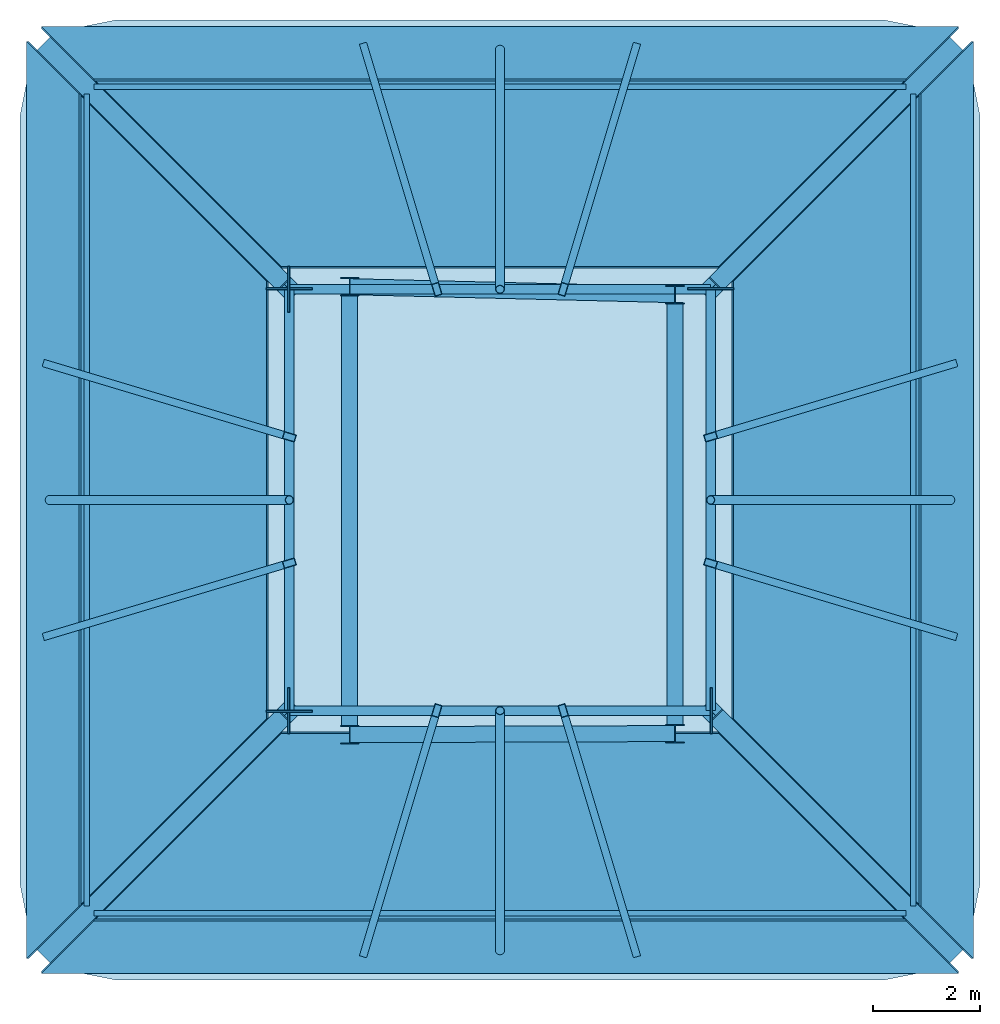
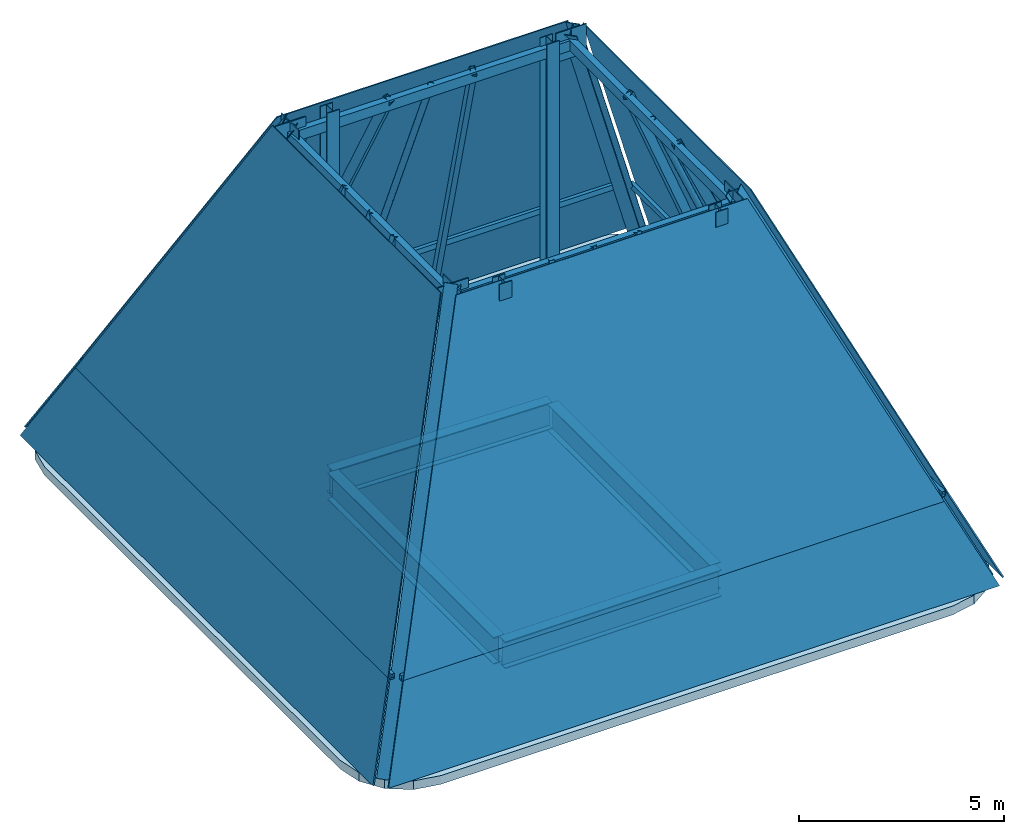
# One storey: 20 members, 14 plates, 8 beams, 4 columns, 1 slab, 4 elements without a shape of their own.
"""IFC4 building model written with IfcOpenShell, lengths in metres."""

from ifc_helpers import new_model, si_unit, direction, frame, origin, origin_2d, place, context, subcontext, project, spatial, polyline, rectangle, hollow_rectangle, hollow_circle, i_section, outline, extrude, material, layer, layer_set, material_profile, profile_set, type_object, element, aggregate, save


model = new_model("IFC4")

# Units and contexts
model_context = context("Model", 3, precision=1e-05, world=origin(), true_north=direction((0.0, 1.0)))
body_context = subcontext(model_context, "Body", "Model", "MODEL_VIEW")
ifc_project = project(units=[si_unit("LENGTHUNIT", "METRE"), si_unit("AREAUNIT", "SQUARE_METRE"), si_unit("VOLUMEUNIT", "CUBIC_METRE"), si_unit("PLANEANGLEUNIT", "RADIAN"), si_unit("MASSUNIT", "GRAM", prefix="KILO")], contexts=[model_context])

# Site, building, storey
site_placement = place(None, origin())
site = spatial("IfcSite", under=ifc_project, at=site_placement, CompositionType="ELEMENT")
building_placement = place(site_placement, origin())
building = spatial("IfcBuilding", under=site, at=building_placement, Name="Khorvyn Point Tower", CompositionType="ELEMENT")
storey_placement = place(building_placement, frame((0.0, 0.0, 334.10009765625)))
storey = spatial("IfcBuildingStorey", under=building, at=storey_placement, Name="L79", CompositionType="ELEMENT", Elevation=334.10009765625)

# Columns
ifc_material_1 = material(Name="Steel S355", Category="steel")
ifc_material_profile_1 = material_profile(ifc_material_1, i_section(OverallWidth=0.35009765625, OverallDepth=0.35009765625, WebThickness=0.011962890625, FlangeThickness=0.01904296875, at=origin_2d()))
ifc_profile_set_1 = profile_set([ifc_material_profile_1], Name="Steel S355 H350x350x12x19")
column_type = type_object("IfcColumnType", Name="Steel S355 Structural Column H350x350x12x19", PredefinedType="COLUMN", material=ifc_profile_set_1)
for number, where, z_axis, x_axis, name in (
    (1, (-4.52001953125, -4.199951171875, 0.0), (0.0, 0.0, 1.0), (1.0, 0.0, 0.0), "L79 Crown Core Spine Column 1"),
    (2, (1.580078125, -4.179931640625, 0.0), (0.0, 0.0, 1.0), (1.0, 0.0, 0.0), "L79 Crown Core Spine Column 2"),
    (3, (1.580078125, 4.050048828125, 0.0), (0.0, 0.0, 1.0), (1.0, 0.0, 0.0), "L79 Crown Core Spine Column 3"),
    (4, (-4.52001953125, 4.199951171875, 0.0), (0.0, 0.0, 1.0), (1.0, 0.0, 0.0), "L79 Crown Core Spine Column 4"),
):
    element("IfcColumn", number, at=place(storey_placement, frame(where, z_axis=z_axis, x_axis=x_axis)), inside=storey, type_object=column_type, Name=name, PredefinedType="COLUMN", context=body_context, shape_type="SweptSolid", body=[
        extrude(i_section(OverallWidth=0.35009765625, OverallDepth=0.35009765625, WebThickness=0.011962890625, FlangeThickness=0.01904296875, at=origin_2d()), origin(), (0.0, 0.0, 1.0), 10.449951171875),
    ])

# Curtain wall, member
ifc_material_2 = material(Name="Anodised aluminium 6063-T6 and laminated Low-E glass", Category="aluminium")
ifc_layer_1 = layer(ifc_material_2, 0.18994140625)
ifc_layer_set_1 = layer_set([ifc_layer_1], Name="Stick-Built Crystal Atrium Curtain Wall CW-SYS-06")
curtain_wall_type = type_object("IfcCurtainWallType", Name="Stick-Built Crystal Atrium Curtain Wall CW-SYS-06", PredefinedType="NOTDEFINED", material=ifc_layer_set_1)
curtain_wall_1_placement = place(storey_placement, origin())
curtain_wall_1 = element("IfcCurtainWall", 5, at=curtain_wall_1_placement, inside=storey, type_object=curtain_wall_type, Name="L79 Glass-Point Crown Pyramid South Curtain Wall", PredefinedType="NOTDEFINED")
ifc_material_3 = material(Name="Anodised aluminium 6063-T6", Category="aluminium")
ifc_material_profile_2 = material_profile(ifc_material_3, hollow_rectangle(XDim=0.10009765625, YDim=0.159912109375, WallThickness=0.00439453125, at=origin_2d()))
ifc_profile_set_2 = profile_set([ifc_material_profile_2], Name="Anodised aluminium 6063-T6 ALU-TRN-100x160")
member_type_1 = type_object("IfcMemberType", Name="Anodised Aluminium 6063-T6 Transom ALU-TRN-100x160", PredefinedType="USERDEFINED", material=ifc_profile_set_2)
member_1_placement = place(storey_placement, frame((-9.31005859375, -7.550048828125, 2.298828125), z_axis=(1.0, 0.0, 0.0), x_axis=(0.0, 1.0, 0.0)))
member_1 = element("IfcMember", 6, at=member_1_placement, type_object=member_type_1, Name="L79 Crown Transom SOUTH", ObjectType="TRANSOM", PredefinedType="USERDEFINED", context=body_context, shape_type="SweptSolid", body=[
    extrude(hollow_rectangle(XDim=0.10009765625, YDim=0.159912109375, WallThickness=0.00439453125, at=origin_2d()), origin(), (0.0, 0.0, 1.0), 15.219970703125),
])

curtain_wall_2_placement = place(storey_placement, origin())
curtain_wall_2 = element("IfcCurtainWall", 7, at=curtain_wall_2_placement, inside=storey, type_object=curtain_wall_type, Name="L79 Glass-Point Crown Pyramid East Curtain Wall", PredefinedType="NOTDEFINED")
member_2_placement = place(storey_placement, frame((6.050048828125, -7.409912109375, 2.298828125), z_axis=(0.0, 1.0, 0.0), x_axis=(-1.0, 0.0, 0.0)))
member_2 = element("IfcMember", 8, at=member_2_placement, type_object=member_type_1, Name="L79 Crown Transom EAST", ObjectType="TRANSOM", PredefinedType="USERDEFINED", context=body_context, shape_type="SweptSolid", body=[
    extrude(hollow_rectangle(XDim=0.10009765625, YDim=0.159912109375, WallThickness=0.00439453125, at=origin_2d()), origin(), (0.0, 0.0, 1.0), 15.219970703125),
])

curtain_wall_3_placement = place(storey_placement, origin())
curtain_wall_3 = element("IfcCurtainWall", 9, at=curtain_wall_3_placement, inside=storey, type_object=curtain_wall_type, Name="L79 Glass-Point Crown Pyramid North Curtain Wall", PredefinedType="NOTDEFINED")
member_3_placement = place(storey_placement, frame((5.909912109375, 7.949951171875, 2.298828125), z_axis=(-1.0, 0.0, 0.0), x_axis=(0.0, -1.0, 0.0)))
member_3 = element("IfcMember", 10, at=member_3_placement, type_object=member_type_1, Name="L79 Crown Transom NORTH", ObjectType="TRANSOM", PredefinedType="USERDEFINED", context=body_context, shape_type="SweptSolid", body=[
    extrude(hollow_rectangle(XDim=0.10009765625, YDim=0.159912109375, WallThickness=0.00439453125, at=origin_2d()), origin(), (0.0, 0.0, 1.0), 15.219970703125),
])

curtain_wall_4_placement = place(storey_placement, origin())
curtain_wall_4 = element("IfcCurtainWall", 11, at=curtain_wall_4_placement, inside=storey, type_object=curtain_wall_type, Name="L79 Glass-Point Crown Pyramid West Curtain Wall", PredefinedType="NOTDEFINED")
member_4_placement = place(storey_placement, frame((-9.449951171875, 7.81005859375, 2.298828125), z_axis=(0.0, -1.0, 0.0), x_axis=(1.0, 0.0, 0.0)))
member_4 = element("IfcMember", 12, at=member_4_placement, type_object=member_type_1, Name="L79 Crown Transom WEST", ObjectType="TRANSOM", PredefinedType="USERDEFINED", context=body_context, shape_type="SweptSolid", body=[
    extrude(hollow_rectangle(XDim=0.10009765625, YDim=0.159912109375, WallThickness=0.00439453125, at=origin_2d()), origin(), (0.0, 0.0, 1.0), 15.219970703125),
])

# Beams
ifc_material_profile_3 = material_profile(ifc_material_1, hollow_rectangle(XDim=0.179931640625, YDim=0.300048828125, WallThickness=0.011962890625, at=origin_2d()))
ifc_profile_set_3 = profile_set([ifc_material_profile_3], Name="Steel S355 RHS300x180x12")
beam_type_1 = type_object("IfcBeamType", Name="Steel S355 Beam RHS300x180x12", PredefinedType="BEAM", material=ifc_profile_set_3)
for number, where, z_axis, x_axis, name in (
    (13, (-5.64990234375, -3.75, 10.039794921875), (1.0, 0.0, 0.0), (0.0, 1.0, 0.0), "L79 Crown Top Ring Beam 1"),
    (14, (2.25, -3.75, 10.039794921875), (0.0, 1.0, 0.0), (-1.0, 0.0, 0.0), "L79 Crown Top Ring Beam 2"),
    (15, (2.25, 4.14990234375, 10.039794921875), (-1.0, 0.0, 0.0), (0.0, -1.0, 0.0), "L79 Crown Top Ring Beam 3"),
    (16, (-5.64990234375, 4.14990234375, 10.039794921875), (0.0, -1.0, 0.0), (1.0, 0.0, 0.0), "L79 Crown Top Ring Beam 4"),
):
    element("IfcBeam", number, at=place(storey_placement, frame(where, z_axis=z_axis, x_axis=x_axis)), inside=storey, type_object=beam_type_1, Name=name, PredefinedType="BEAM", context=body_context, shape_type="SweptSolid", body=[
        extrude(hollow_rectangle(XDim=0.179931640625, YDim=0.300048828125, WallThickness=0.011962890625, at=origin_2d()), origin(), (0.0, 0.0, 1.0), 7.89990234375),
    ])

# Members
ifc_material_profile_4 = material_profile(ifc_material_1, i_section(OverallWidth=0.35009765625, OverallDepth=0.35009765625, WebThickness=0.011962890625, FlangeThickness=0.01904296875, at=origin_2d()))
ifc_profile_set_4 = profile_set([ifc_material_profile_4], Name="Steel S355 H350x350x12x19")
member_type_2 = type_object("IfcMemberType", Name="Steel S355 Exoskeleton Structural Post H350x350x12x19", PredefinedType="POST", material=ifc_profile_set_4)
for number, where, z_axis, x_axis, name in (
    (17, (-10.14990234375, -8.25, 0.0), (0.367789619495, 0.367789619495, 0.85408523672), (-0.707106781187, 0.707106781187, 0.0), "L79 CROWN FRAME Corner Hip Post 1"),
    (18, (6.75, -8.25, 0.0), (-0.367789619495, 0.367789619495, 0.85408523672), (-0.707106781187, -0.707106781187, 0.0), "L79 CROWN FRAME Corner Hip Post 2"),
    (19, (6.75, 8.64990234375, 0.0), (-0.367789619495, -0.367789619495, 0.85408523672), (0.707106781187, -0.707106781187, 0.0), "L79 CROWN FRAME Corner Hip Post 3"),
    (20, (-10.14990234375, 8.64990234375, 0.0), (0.367789619495, -0.367789619495, 0.85408523672), (0.707106781187, 0.707106781187, 0.0), "L79 CROWN FRAME Corner Hip Post 4"),
):
    element("IfcMember", number, at=place(storey_placement, frame(where, z_axis=z_axis, x_axis=x_axis)), inside=storey, type_object=member_type_2, Name=name, PredefinedType="POST", context=body_context, shape_type="SweptSolid", body=[
        extrude(i_section(OverallWidth=0.35009765625, OverallDepth=0.35009765625, WebThickness=0.011962890625, FlangeThickness=0.01904296875, at=origin_2d()), origin(), (0.0, 0.0, 1.0), 12.2353515625),
    ])
ifc_material_profile_5 = material_profile(ifc_material_1, hollow_circle(Radius=0.084228515625, WallThickness=0.008056640625, at=origin_2d()))
ifc_profile_set_5 = profile_set([ifc_material_profile_5], Name="Steel S355 CHS168.3x8")
member_type_3 = type_object("IfcMemberType", Name="Steel S355 Truss Rafter CHS168.3x8", PredefinedType="RAFTER", material=ifc_profile_set_5)
for number, where, z_axis, x_axis, name in (
    (21, (-1.699951171875, -8.25, -0.260009765625), (0.0, 0.395511398848, 0.918461067973), (-1.0, 0.0, 0.0), "L79 CROWN FRAME Secondary Rafter 1"),
    (22, (6.75, 0.199951171875, -0.260009765625), (-0.395511398848, 0.0, 0.918461067973), (0.0, -1.0, 0.0), "L79 CROWN FRAME Secondary Rafter 2"),
    (23, (-1.699951171875, 8.64990234375, -0.260009765625), (0.0, -0.395511398848, 0.918461067973), (1.0, 0.0, 0.0), "L79 CROWN FRAME Secondary Rafter 3"),
    (24, (-10.14990234375, 0.199951171875, -0.260009765625), (0.395511398848, 0.0, 0.918461067973), (0.0, 1.0, 0.0), "L79 CROWN FRAME Secondary Rafter 4"),
):
    element("IfcMember", number, at=place(storey_placement, frame(where, z_axis=z_axis, x_axis=x_axis)), inside=storey, type_object=member_type_3, Name=name, PredefinedType="RAFTER", context=body_context, shape_type="SweptSolid", body=[
        extrude(hollow_circle(Radius=0.084228515625, WallThickness=0.008056640625, at=origin_2d()), origin(), (0.0, 0.0, 1.0), 11.377685546875),
    ])
ifc_material_profile_6 = material_profile(ifc_material_1, hollow_rectangle(XDim=0.139892578125, YDim=0.260009765625, WallThickness=0.010009765625, at=origin_2d()))
ifc_profile_set_6 = profile_set([ifc_material_profile_6], Name="Steel S355 RHS260x140x10")
member_type_4 = type_object("IfcMemberType", Name="Steel S355 Truss Rafter RHS260x140x10", PredefinedType="RAFTER", material=ifc_profile_set_6)
for number, where, z_axis, x_axis, name in (
    (25, (-4.235107421875, -8.25, -0.260009765625), (0.117835302692, 0.392755931143, 0.912062289535), (-0.957820564104, 0.287366955268, 0.0), "L79 CROWN FRAME Primary Rafter 1-1"),
    (26, (0.8349609375, -8.25, -0.260009765625), (-0.11781429011, 0.39275691722, 0.912064579414), (-0.957834866313, -0.287319280374, 0.0), "L79 CROWN FRAME Primary Rafter 1-2"),
    (27, (6.75, -2.3349609375, -0.260009765625), (-0.39275691722, 0.11781429011, 0.912064579414), (-0.287319280374, -0.957834866313, 0.0), "L79 CROWN FRAME Primary Rafter 2-1"),
    (28, (6.75, 2.735107421875, -0.260009765625), (-0.392755931143, -0.117835302692, 0.912062289535), (0.287366955268, -0.957820564104, 0.0), "L79 CROWN FRAME Primary Rafter 2-2"),
    (29, (0.8349609375, 8.64990234375, -0.260009765625), (-0.11781429011, -0.39275691722, 0.912064579414), (0.957834866313, -0.287319280374, 0.0), "L79 CROWN FRAME Primary Rafter 3-1"),
    (30, (-4.235107421875, 8.64990234375, -0.260009765625), (0.117835302692, -0.392755931143, 0.912062289535), (0.957820564104, 0.287366955268, 0.0), "L79 CROWN FRAME Primary Rafter 3-2"),
    (31, (-10.14990234375, 2.735107421875, -0.260009765625), (0.392755931143, -0.117835302692, 0.912062289535), (0.287366955268, 0.957820564104, 0.0), "L79 CROWN FRAME Primary Rafter 4-1"),
    (32, (-10.14990234375, -2.3349609375, -0.260009765625), (0.39275691722, 0.11781429011, 0.912064579414), (-0.287319280374, 0.957834866313, 0.0), "L79 CROWN FRAME Primary Rafter 4-2"),
):
    element("IfcMember", number, at=place(storey_placement, frame(where, z_axis=z_axis, x_axis=x_axis)), inside=storey, type_object=member_type_4, Name=name, PredefinedType="RAFTER", context=body_context, shape_type="SweptSolid", body=[
        extrude(hollow_rectangle(XDim=0.139892578125, YDim=0.260009765625, WallThickness=0.010009765625, at=origin_2d()), origin(), (0.0, 0.0, 1.0), 11.45751953125),
    ])

# Beams
ifc_material_4 = material(Name="Steel S450", Category="steel")
ifc_material_profile_7 = material_profile(ifc_material_4, i_section(OverallWidth=0.300048828125, OverallDepth=0.800048828125, WebThickness=0.013916015625, FlangeThickness=0.02587890625, at=origin_2d()))
ifc_profile_set_7 = profile_set([ifc_material_profile_7], Name="Steel S450 H800x300x14x26")
beam_type_2 = type_object("IfcBeamType", Name="Steel S450 Beam H800x300x14x26", PredefinedType="BEAM", material=ifc_profile_set_7)
beam_1_placement = place(storey_placement, frame((-4.52001953125, -4.199951171875, -0.66015625), z_axis=(0.999994614814, 0.003281820156, 0.0), x_axis=(-0.003281820156, 0.999994614814, 0.0)))
element("IfcBeam", 33, at=beam_1_placement, inside=storey, type_object=beam_type_2, Name="L79 Crown Core Tie Beam S", PredefinedType="BEAM", context=body_context, shape_type="SweptSolid", body=[
    extrude(i_section(OverallWidth=0.300048828125, OverallDepth=0.800048828125, WebThickness=0.013916015625, FlangeThickness=0.02587890625, at=origin_2d()), origin(), (0.0, 0.0, 1.0), 6.10009765625),
])
beam_2_placement = place(storey_placement, frame((-4.52001953125, 4.199951171875, -0.66015625), z_axis=(0.999698201806, -0.02456634499, 0.0), x_axis=(0.02456634499, 0.999698201806, 0.0)))
element("IfcBeam", 34, at=beam_2_placement, inside=storey, type_object=beam_type_2, Name="L79 Crown Core Tie Beam N", PredefinedType="BEAM", context=body_context, shape_type="SweptSolid", body=[
    extrude(i_section(OverallWidth=0.300048828125, OverallDepth=0.800048828125, WebThickness=0.013916015625, FlangeThickness=0.02587890625, at=origin_2d()), origin(), (0.0, 0.0, 1.0), 6.10205078125),
])
beam_3_placement = place(storey_placement, frame((-4.52001953125, -4.050048828125, -0.66015625), z_axis=(0.0, 1.0, 0.0), x_axis=(-1.0, 0.0, 0.0)))
element("IfcBeam", 35, at=beam_3_placement, inside=storey, type_object=beam_type_2, Name="L79 Crown Core Tie Beam W", PredefinedType="BEAM", context=body_context, shape_type="SweptSolid", body=[
    extrude(i_section(OverallWidth=0.300048828125, OverallDepth=0.800048828125, WebThickness=0.013916015625, FlangeThickness=0.02587890625, at=origin_2d()), origin(), (0.0, 0.0, 1.0), 8.10009765625),
])
beam_4_placement = place(storey_placement, frame((1.580078125, -4.030029296875, -0.66015625), z_axis=(0.0, 1.0, 0.0), x_axis=(-1.0, 0.0, 0.0)))
element("IfcBeam", 36, at=beam_4_placement, inside=storey, type_object=beam_type_2, Name="L79 Crown Core Tie Beam E", PredefinedType="BEAM", context=body_context, shape_type="SweptSolid", body=[
    extrude(i_section(OverallWidth=0.300048828125, OverallDepth=0.800048828125, WebThickness=0.013916015625, FlangeThickness=0.02587890625, at=origin_2d()), origin(), (0.0, 0.0, 1.0), 7.929931640625),
])

# Slab
ifc_material_5 = material(Name="Concrete C40/50", Category="concrete")
ifc_layer_2 = layer(ifc_material_5, 0.260009765625)
ifc_layer_set_2 = layer_set([ifc_layer_2], Name="Concrete C40/50 Crown Apex Cap Slab 260")
slab_type = type_object("IfcSlabType", Name="Concrete C40/50 Crown Apex Cap Slab 260", PredefinedType="ROOF", material=ifc_layer_set_2)
slab_placement = place(storey_placement, frame((0.0, 0.0, -0.260009765625)))
element("IfcSlab", 37, at=slab_placement, inside=storey, type_object=slab_type, Name="L79 Main Structural Roof Slab", PredefinedType="ROOF", context=body_context, shape_type="SweptSolid", body=[
    extrude(outline(polyline([(5.5, -8.800048828125), (6.188720703125, -8.6630859375), (6.772705078125, -8.272705078125), (7.1630859375, -7.688720703125), (7.300048828125, -7.0), (7.300048828125, 7.39990234375), (7.1630859375, 8.0888671875), (6.772705078125, 8.6728515625), (6.188720703125, 9.06298828125), (5.5, 9.199951171875), (-8.89990234375, 9.199951171875), (-9.5888671875, 9.06298828125), (-10.1728515625, 8.6728515625), (-10.56298828125, 8.0888671875), (-10.699951171875, 7.39990234375), (-10.699951171875, -7.0), (-10.56298828125, -7.688720703125), (-10.1728515625, -8.272705078125), (-9.5888671875, -8.6630859375), (-8.89990234375, -8.800048828125), (5.5, -8.800048828125)])), origin(), (0.0, 0.0, 1.0), 0.260009765625),
])

# Plate
ifc_material_6 = material(Name="Pale anodised aluminium 5005", Category="aluminium")
ifc_layer_3 = layer(ifc_material_6, 0.0400390625)
ifc_layer_set_3 = layer_set([ifc_layer_3], Name="Pale Champagne Aluminium Insulated Spandrel Panel CW-SP40")
plate_type_1 = type_object("IfcPlateType", Name="Pale Champagne Aluminium Insulated Spandrel Panel CW-SP40", PredefinedType="SHEET", material=ifc_layer_set_3)
plate_1_placement = place(storey_placement, frame((-10.300048828125, -8.679931640625, 0.039794921875), z_axis=(0.0, -0.915909534935, 0.401384757826), x_axis=(1.0, 0.0, 0.0)))
plate_1 = element("IfcPlate", 38, at=plate_1_placement, type_object=plate_type_1, Name="L79 Crown Spandrel Skirt SOUTH", PredefinedType="SHEET", context=body_context, shape_type="SweptSolid", body=[
    extrude(outline(polyline([(0.0, 0.0), (17.199951171875, 0.0), (16.2099609375, 2.466437040951799), (0.989990234375, 2.466437040951799), (0.0, 0.0)])), origin(), (0.0, 0.0, -1.0), 0.0400390625),
])

plate_2_placement = place(storey_placement, frame((7.179931640625, -8.39990234375, 0.039794921875), z_axis=(0.915909534935, 0.0, 0.401384757826), x_axis=(0.0, 1.0, 0.0)))
plate_2 = element("IfcPlate", 39, at=plate_2_placement, type_object=plate_type_1, Name="L79 Crown Spandrel Skirt EAST", PredefinedType="SHEET", context=body_context, shape_type="SweptSolid", body=[
    extrude(outline(polyline([(0.0, 0.0), (17.199951171875, 0.0), (16.2099609375, 2.466437040951799), (0.989990234375, 2.466437040951799), (0.0, 0.0)])), origin(), (0.0, 0.0, -1.0), 0.0400390625),
])

plate_3_placement = place(storey_placement, frame((6.89990234375, 9.080078125, 0.039794921875), z_axis=(0.0, 0.915909534935, 0.401384757826), x_axis=(-1.0, 0.0, 0.0)))
plate_3 = element("IfcPlate", 40, at=plate_3_placement, type_object=plate_type_1, Name="L79 Crown Spandrel Skirt NORTH", PredefinedType="SHEET", context=body_context, shape_type="SweptSolid", body=[
    extrude(outline(polyline([(0.0, 0.0), (17.199951171875, 0.0), (16.2099609375, 2.466437040951799), (0.989990234375, 2.466437040951799), (0.0, 0.0)])), origin(), (0.0, 0.0, -1.0), 0.0400390625),
])

plate_4_placement = place(storey_placement, frame((-10.580078125, 8.800048828125, 0.039794921875), z_axis=(-0.915909534935, 0.0, 0.401384757826), x_axis=(0.0, -1.0, 0.0)))
plate_4 = element("IfcPlate", 41, at=plate_4_placement, type_object=plate_type_1, Name="L79 Crown Spandrel Skirt WEST", PredefinedType="SHEET", context=body_context, shape_type="SweptSolid", body=[
    extrude(outline(polyline([(0.0, 0.0), (17.199951171875, 0.0), (16.2099609375, 2.466437040951799), (0.989990234375, 2.466437040951799), (0.0, 0.0)])), origin(), (0.0, 0.0, -1.0), 0.0400390625),
])

# Plates
ifc_layer_4 = layer(ifc_material_4, 0.031982421875)
ifc_layer_set_4 = layer_set([ifc_layer_4], Name="Steel S450 Exoskeleton End Cap Plate 32")
plate_type_2 = type_object("IfcPlateType", Name="Steel S450 Exoskeleton End Cap Plate 32", PredefinedType="USERDEFINED", material=ifc_layer_set_4)
for number, where, z_axis, x_axis, name in (
    (42, (-5.659912109375, -3.75, 9.60986328125), (0.0, 0.0, 1.0), (1.0, 0.0, 0.0), "Plate"),
    (43, (2.260009765625, -3.75, 9.60986328125), (0.0, 0.0, 1.0), (1.0, 0.0, 0.0), "Plate"),
):
    element("IfcPlate", number, at=place(storey_placement, frame(where, z_axis=z_axis, x_axis=x_axis)), inside=storey, type_object=plate_type_2, Name=name, ObjectType="GUSSET", PredefinedType="USERDEFINED", context=body_context, shape_type="SweptSolid", body=[
        extrude(rectangle(XDim=0.031982421875, YDim=0.860107421875, at=origin_2d()), origin(), (0.0, 0.0, 1.0), 0.860107421875),
    ])
plate_5_placement = place(storey_placement, frame((2.25, 4.159912109375, 9.60986328125), z_axis=(0.0, 0.0, 1.0), x_axis=(1.0, 0.0, 0.0)))
element("IfcPlate", 44, at=plate_5_placement, inside=storey, type_object=plate_type_2, Name="Plate", ObjectType="GUSSET", PredefinedType="USERDEFINED", context=body_context, shape_type="SweptSolid", body=[
    extrude(rectangle(XDim=0.860107421875, YDim=0.031982421875, at=origin_2d()), origin(), (0.0, 0.0, 1.0), 0.860107421875),
])
plate_6_placement = place(storey_placement, frame((-5.659912109375, 4.14990234375, 9.60986328125), z_axis=(0.0, 0.0, 1.0), x_axis=(1.0, 0.0, 0.0)))
element("IfcPlate", 45, at=plate_6_placement, inside=storey, type_object=plate_type_2, Name="Plate", ObjectType="GUSSET", PredefinedType="USERDEFINED", context=body_context, shape_type="SweptSolid", body=[
    extrude(rectangle(XDim=0.031982421875, YDim=0.860107421875, at=origin_2d()), origin(), (0.0, 0.0, 1.0), 0.860107421875),
])
for number, where, z_axis, x_axis, name in (
    (46, (-5.64990234375, 4.159912109375, 9.60986328125), (0.0, 0.0, 1.0), (1.0, 0.0, 0.0), "Plate"),
    (47, (-5.64990234375, -3.760009765625, 9.60986328125), (0.0, 0.0, 1.0), (1.0, 0.0, 0.0), "Plate"),
):
    element("IfcPlate", number, at=place(storey_placement, frame(where, z_axis=z_axis, x_axis=x_axis)), inside=storey, type_object=plate_type_2, Name=name, ObjectType="GUSSET", PredefinedType="USERDEFINED", context=body_context, shape_type="SweptSolid", body=[
        extrude(rectangle(XDim=0.860107421875, YDim=0.031982421875, at=origin_2d()), origin(), (0.0, 0.0, 1.0), 0.860107421875),
    ])

# Plate
ifc_material_7 = material(Name="Laminated Low-E insulated glass", Category="glass")
ifc_layer_5 = layer(ifc_material_7, 0.028076171875)
ifc_layer_set_5 = layer_set([ifc_layer_5], Name="Tempered Low-E Vision Glazing Panel CW-GL28")
plate_type_3 = type_object("IfcPlateType", Name="Tempered Low-E Vision Glazing Panel CW-GL28", PredefinedType="CURTAIN_PANEL", material=ifc_layer_set_5)
plate_7_placement = place(storey_placement, frame((-9.31005859375, -7.68994140625, 2.298828125), z_axis=(0.0, -0.91775337629, 0.397150777802), x_axis=(1.0, 0.0, 0.0)))
plate_7 = element("IfcPlate", 48, at=plate_7_placement, type_object=plate_type_3, Name="L79 Crown Glass-Point Facet SOUTH", PredefinedType="CURTAIN_PANEL", context=body_context, shape_type="SweptSolid", body=[
    extrude(outline(polyline([(0.0, 0.0), (15.219970703125, 0.0), (11.7099609375, 8.837977820540594), (3.510009765625, 8.837977820540594), (0.0, 0.0)])), origin(), (0.0, 0.0, -1.0), 0.028076171875),
])

aggregate(curtain_wall_1, [plate_1, member_1, plate_7])

plate_8_placement = place(storey_placement, frame((6.18994140625, -7.409912109375, 2.298828125), z_axis=(0.91775337629, 0.0, 0.397150777802), x_axis=(0.0, 1.0, 0.0)))
plate_8 = element("IfcPlate", 49, at=plate_8_placement, type_object=plate_type_3, Name="L79 Crown Glass-Point Facet EAST", PredefinedType="CURTAIN_PANEL", context=body_context, shape_type="SweptSolid", body=[
    extrude(outline(polyline([(0.0, 0.0), (15.219970703125, 0.0), (11.7099609375, 8.837977820540594), (3.510009765625, 8.837977820540594), (0.0, 0.0)])), origin(), (0.0, 0.0, -1.0), 0.028076171875),
])

aggregate(curtain_wall_2, [plate_2, member_2, plate_8])

plate_9_placement = place(storey_placement, frame((5.909912109375, 8.090087890625, 2.298828125), z_axis=(0.0, 0.91775337629, 0.397150777802), x_axis=(-1.0, 0.0, 0.0)))
plate_9 = element("IfcPlate", 50, at=plate_9_placement, type_object=plate_type_3, Name="L79 Crown Glass-Point Facet NORTH", PredefinedType="CURTAIN_PANEL", context=body_context, shape_type="SweptSolid", body=[
    extrude(outline(polyline([(0.0, 0.0), (15.219970703125, 0.0), (11.7099609375, 8.837977820540594), (3.510009765625, 8.837977820540594), (0.0, 0.0)])), origin(), (0.0, 0.0, -1.0), 0.028076171875),
])

aggregate(curtain_wall_3, [plate_3, member_3, plate_9])

plate_10_placement = place(storey_placement, frame((-9.590087890625, 7.81005859375, 2.298828125), z_axis=(-0.91775337629, 0.0, 0.397150777802), x_axis=(0.0, -1.0, 0.0)))
plate_10 = element("IfcPlate", 51, at=plate_10_placement, type_object=plate_type_3, Name="L79 Crown Glass-Point Facet WEST", PredefinedType="CURTAIN_PANEL", context=body_context, shape_type="SweptSolid", body=[
    extrude(outline(polyline([(0.0, 0.0), (15.219970703125, 0.0), (11.7099609375, 8.837977820540594), (3.510009765625, 8.837977820540594), (0.0, 0.0)])), origin(), (0.0, 0.0, -1.0), 0.028076171875),
])

aggregate(curtain_wall_4, [plate_4, member_4, plate_10])

save(model, "model.ifc")
